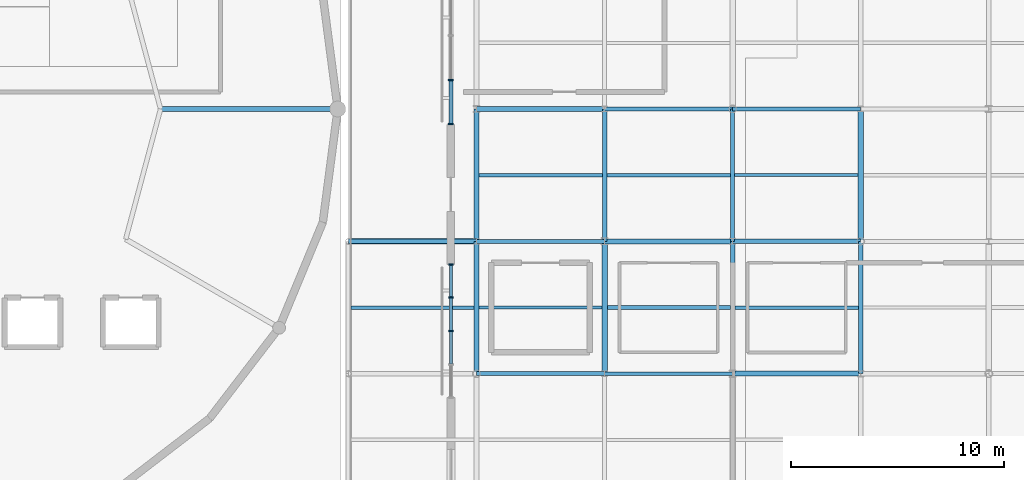
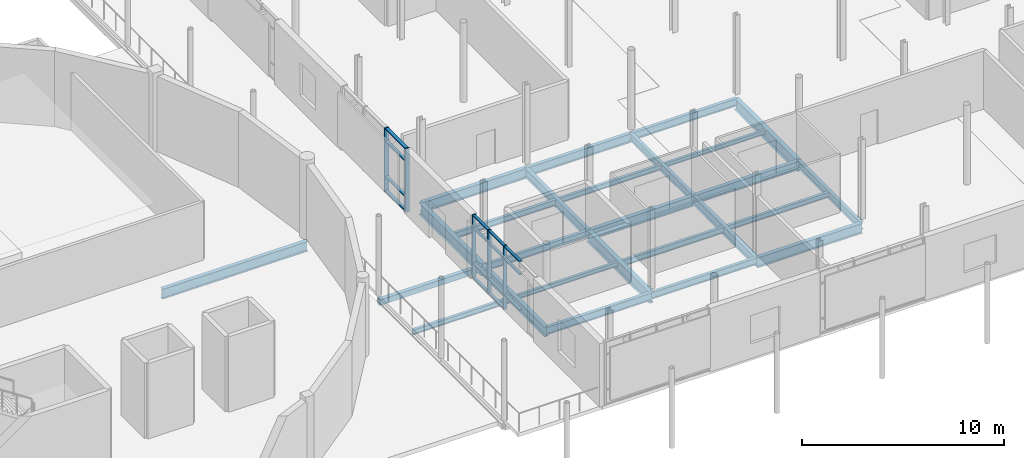
# One storey, part 26 of 84: 26 beams, 20 members, 2 elements without a shape of their own.
"""IFC4 building model written with IfcOpenShell, lengths in metres."""

import ifcopenshell
import ifcopenshell.guid

model = None  # the IFC model being written
_history = None  # IfcOwnerHistory: only IFC2X3 demands one
_inside = {}  # id of a spatial element -> (the spatial element, [elements in it])
_under = {}  # id of a project, library or spatial element -> (it, [spatial elements below it])
_declared = {}  # id of a project -> (the project, [libraries it declares])
_typed = {}  # id of a type object -> (the type object, [elements of that type])
_made_of = {}  # id of a material, layer set ... -> (it, [elements and type objects made of it])


def new_model(schema):
    """Start an empty IFC model of exactly this schema.

    Asked for "IFC4X3", IfcOpenShell would pick the latest addendum, in which some entities
    have other attributes; the version numbers below select the first issue.
    IFC2X3 requires an IfcOwnerHistory on every rooted entity: one is made here for all.
    """
    global model, _history
    if schema == "IFC4X3":
        model = ifcopenshell.file(schema_version=(4, 3, 0, 0))
    else:
        model = ifcopenshell.file(schema=schema)
    _inside.clear()
    _under.clear()
    _declared.clear()
    _typed.clear()
    _made_of.clear()
    _history = None
    if model.schema == "IFC2X3":
        org = make("IfcOrganization", Name="unknown")
        user = make(
            "IfcPersonAndOrganization",
            ThePerson=make("IfcPerson", FamilyName="unknown"),
            TheOrganization=org,
        )
        app = make(
            "IfcApplication",
            ApplicationDeveloper=org,
            Version="unknown",
            ApplicationFullName="unknown",
            ApplicationIdentifier="unknown",
        )
        _history = make(
            "IfcOwnerHistory",
            OwningUser=user,
            OwningApplication=app,
            ChangeAction="ADDED",
            CreationDate=0,
        )
    return model


def make(cls, **values):
    """One entity of the class cls with the attributes given. An attribute that is None is left unset."""
    return model.create_entity(
        cls, **{name: value for name, value in values.items() if value is not None}
    )


def rooted(cls, **values):
    """An entity with a GlobalId (a new one), such as an element, a storey or a relation."""
    return make(cls, GlobalId=ifcopenshell.guid.new(), OwnerHistory=_history, **values)


def si_unit(unit_type, name, prefix=None):
    """IfcSIUnit, for example si_unit("LENGTHUNIT", "METRE", prefix="MILLI")."""
    return make("IfcSIUnit", UnitType=unit_type, Prefix=prefix, Name=name)


def assignment(units):
    """IfcUnitAssignment: the units of a project."""
    return None if units is None else make("IfcUnitAssignment", Units=units)


def point(xyz):
    """IfcCartesianPoint."""
    return None if xyz is None else make("IfcCartesianPoint", Coordinates=xyz)


def direction(xyz):
    """IfcDirection."""
    return None if xyz is None else make("IfcDirection", DirectionRatios=xyz)


def frame(location, z_axis=None, x_axis=None):
    """IfcAxis2Placement3D, a coordinate frame: its origin and axes. An axis left out is left unset."""
    return make(
        "IfcAxis2Placement3D",
        Location=point(location),
        Axis=direction(z_axis),
        RefDirection=direction(x_axis),
    )


def frame_2d(location, x_axis=None):
    """IfcAxis2Placement2D, a coordinate frame in the plane: its origin and x axis."""
    return make(
        "IfcAxis2Placement2D", Location=point(location), RefDirection=direction(x_axis)
    )


def origin():
    """The frame at (0, 0, 0) with its axes left unset."""
    return frame((0.0, 0.0, 0.0))


def origin_2d():
    """The frame at (0, 0) in the plane with its x axis left unset."""
    return frame_2d((0.0, 0.0))


def place(relative_to, where):
    """IfcLocalPlacement: puts the frame where relative to a parent placement (None: the world)."""
    return make(
        "IfcLocalPlacement", PlacementRelTo=relative_to, RelativePlacement=where
    )


def context(
    kind, dimensions, precision=None, world=None, true_north=None, identifier=None
):
    """IfcGeometricRepresentationContext, for example the 3D "Model" context."""
    return make(
        "IfcGeometricRepresentationContext",
        ContextIdentifier=identifier,
        ContextType=kind,
        CoordinateSpaceDimension=dimensions,
        Precision=precision,
        WorldCoordinateSystem=world,
        TrueNorth=true_north,
    )


def subcontext(parent, identifier, kind, view, scale=None):
    """IfcGeometricRepresentationSubContext, for example "Body" below "Model"."""
    return make(
        "IfcGeometricRepresentationSubContext",
        ContextIdentifier=identifier,
        ContextType=kind,
        ParentContext=parent,
        TargetScale=scale,
        TargetView=view,
    )


def project(units=None, contexts=None):
    """IfcProject with its units and contexts."""
    return rooted(
        "IfcProject",
        Name="project",
        RepresentationContexts=contexts,
        UnitsInContext=assignment(units),
    )


def spatial(cls, under=None, at=None, **own):
    """A site, building, storey or space (cls), placed at a placement, below another one or the project."""
    s = rooted(cls, ObjectPlacement=at, **own)
    if under is not None:
        _under.setdefault(under.id(), (under, []))[1].append(s)
    return s


def profile(cls, at=None, kind="AREA", **sizes):
    """A parametric profile (cls). Its sizes go by their IFC names, for example OverallWidth=200.0."""
    return make(cls, ProfileType=kind, Position=at, **sizes)


def rectangle(**sizes):
    """IfcRectangleProfileDef."""
    return profile("IfcRectangleProfileDef", **sizes)


def hollow_rectangle(**sizes):
    """IfcRectangleHollowProfileDef."""
    return profile("IfcRectangleHollowProfileDef", **sizes)


def i_section(**sizes):
    """IfcIShapeProfileDef."""
    return profile("IfcIShapeProfileDef", **sizes)


def extrude(swept, where, along, depth):
    """IfcExtrudedAreaSolid: the profile swept, set in the frame where, extruded along a direction by depth."""
    return make(
        "IfcExtrudedAreaSolid",
        SweptArea=swept,
        Position=where,
        ExtrudedDirection=direction(along),
        Depth=depth,
    )


def shape(context_of_items, identifier, shape_type, items):
    """IfcShapeRepresentation: the items that make up one representation, for example the "Body"."""
    return make(
        "IfcShapeRepresentation",
        ContextOfItems=context_of_items,
        RepresentationIdentifier=identifier,
        RepresentationType=shape_type,
        Items=items,
    )


def material(Name=None, Category=None):
    """IfcMaterial."""
    return make("IfcMaterial", Name=Name, Category=Category)


def layer(
    of_material, thickness, ventilated=None, Name=None, Category=None, Priority=None
):
    """IfcMaterialLayer: one layer of a wall or slab, of a material (None: an air gap)."""
    return make(
        "IfcMaterialLayer",
        Material=of_material,
        LayerThickness=thickness,
        IsVentilated=ventilated,
        Name=Name,
        Category=Category,
        Priority=Priority,
    )


def layer_set(layers, Name=None):
    """IfcMaterialLayerSet."""
    return make("IfcMaterialLayerSet", MaterialLayers=layers, LayerSetName=Name)


def material_profile(
    of_material, cross_section, Name=None, Category=None, Priority=None
):
    """IfcMaterialProfile: a cross section and its material."""
    return make(
        "IfcMaterialProfile",
        Name=Name,
        Material=of_material,
        Profile=cross_section,
        Priority=Priority,
        Category=Category,
    )


def profile_set(profiles, Name=None, composite=None):
    """IfcMaterialProfileSet."""
    return make(
        "IfcMaterialProfileSet",
        Name=Name,
        MaterialProfiles=profiles,
        CompositeProfile=composite,
    )


def made_of(thing, what):
    """Note that an element or type object is made of a material, layer set ...; save() writes the relation."""
    if what is not None:
        _made_of.setdefault(what.id(), (what, []))[1].append(thing)
    return thing


def type_object(cls, material=None, **own):
    """A type object (cls), such as IfcWallType, which elements share."""
    return made_of(rooted(cls, **own), material)


def element(
    cls,
    number,
    at=None,
    inside=None,
    cuts=None,
    type_object=None,
    material=None,
    context=None,
    identifier="Body",
    shape_type=None,
    held_by="IfcProductDefinitionShape",
    body=None,
    shapes=None,
    **own,
):
    """One element of the class cls, such as IfcWall. Its Tag is "e" and its number.

    at: its placement. inside: the storey or other place that contains it. cuts: it is an
    opening in that element (IfcRelVoidsElement). A single representation is given by context,
    identifier, shape_type and body (its items); several are given by shapes. held_by: the class
    of the entity that holds the representations. save() writes the other relations.
    """
    e = rooted(cls, Tag="e%d" % number, ObjectPlacement=at, **own)
    if body is not None:
        shapes = [shape(context, identifier, shape_type, body)]
    if shapes is not None:
        e.Representation = make(held_by, Representations=shapes)
    if inside is not None:
        _inside.setdefault(inside.id(), (inside, []))[1].append(e)
    if cuts is not None:
        rooted(
            "IfcRelVoidsElement", RelatingBuildingElement=cuts, RelatedOpeningElement=e
        )
    if type_object is not None:
        _typed.setdefault(type_object.id(), (type_object, []))[1].append(e)
    return made_of(e, material)


def aggregate(whole, parts):
    """IfcRelAggregates: a whole, such as a stair, and the parts it consists of."""
    return rooted("IfcRelAggregates", RelatingObject=whole, RelatedObjects=parts)


def save(model, path):
    """Write the relations noted so far, then the file.

    IfcRelAggregates (storeys below a building ...), IfcRelContainedInSpatialStructure (elements
    in a storey), IfcRelDefinesByType, IfcRelAssociatesMaterial and IfcRelDeclares: one each for
    every whole, place, type object, material and project.
    """
    for whole, parts in _under.values():
        aggregate(whole, parts)
    for where, things in _inside.values():
        rooted(
            "IfcRelContainedInSpatialStructure",
            RelatedElements=things,
            RelatingStructure=where,
        )
    for kind, things in _typed.values():
        rooted("IfcRelDefinesByType", RelatedObjects=things, RelatingType=kind)
    for what, things in _made_of.values():
        rooted("IfcRelAssociatesMaterial", RelatedObjects=things, RelatingMaterial=what)
    for by, libraries in _declared.values():
        rooted("IfcRelDeclares", RelatingContext=by, RelatedDefinitions=libraries)
    model.write(path)


model = new_model("IFC4")

# Units and contexts
model_context = context("Model", 3, precision=1e-05, world=origin(), true_north=direction((0.0, 1.0)))
body_context = subcontext(model_context, "Body", "Model", "MODEL_VIEW")
ifc_project = project(units=[si_unit("LENGTHUNIT", "METRE"), si_unit("AREAUNIT", "SQUARE_METRE"), si_unit("VOLUMEUNIT", "CUBIC_METRE"), si_unit("PLANEANGLEUNIT", "RADIAN"), si_unit("MASSUNIT", "GRAM", prefix="KILO")], contexts=[model_context])

# Site, building, storey
site_placement = place(None, origin())
site = spatial("IfcSite", under=ifc_project, at=site_placement, CompositionType="ELEMENT")
building_placement = place(site_placement, origin())
building = spatial("IfcBuilding", under=site, at=building_placement, Name="Mirzam Square Science Centre", CompositionType="ELEMENT")
storey_placement = place(building_placement, frame((0.0, 0.0, 10.800048828125)))
storey = spatial("IfcBuildingStorey", under=building, at=storey_placement, Name="L02", CompositionType="ELEMENT", Elevation=10.800048828125)

# Beams
ifc_material_1 = material(Name="Steel S355", Category="steel")
ifc_material_profile_1 = material_profile(ifc_material_1, i_section(OverallWidth=0.1787109375, OverallDepth=0.409423828125, WebThickness=0.0087890625, FlangeThickness=0.014404296875, FilletRadius=0.01025390625, at=origin_2d()), Name="406x178x67UB")
ifc_profile_set_1 = profile_set([ifc_material_profile_1], Name="Steel S355")
beam_type_1 = type_object("IfcBeamType", Name="BM-UB406", PredefinedType="BEAM", material=ifc_profile_set_1)
for number, where, z_axis, x_axis, name in (
    (1, (114.0, 49.60009765625, -0.454833984375), (1.0, 0.0, 0.0), (0.0, 1.0, 0.0), "L02 girder X20-9"),
    (2, (108.0, 55.800048828125, -0.454833984375), (1.0, 0.0, 0.0), (0.0, 1.0, 0.0), "L02 girder X19-10"),
):
    element("IfcBeam", number, at=place(storey_placement, frame(where, z_axis=z_axis, x_axis=x_axis)), inside=storey, type_object=beam_type_1, Name=name, PredefinedType="BEAM", context=body_context, shape_type="SweptSolid", body=[
        extrude(i_section(OverallWidth=0.1787109375, OverallDepth=0.409423828125, WebThickness=0.0087890625, FlangeThickness=0.014404296875, FilletRadius=0.01025390625, at=origin_2d()), origin(), (0.0, 0.0, 1.0), 6.0),
    ])
ifc_material_profile_2 = material_profile(ifc_material_1, i_section(OverallWidth=0.19140625, OverallDepth=0.4599609375, WebThickness=0.010009765625, FlangeThickness=0.01611328125, FilletRadius=0.01025390625, at=origin_2d()), Name="457x191x82UB")
ifc_profile_set_2 = profile_set([ifc_material_profile_2], Name="Steel S355")
beam_type_2 = type_object("IfcBeamType", Name="BM-UB457", PredefinedType="BEAM", material=ifc_profile_set_2)
for number, where, z_axis, x_axis, name in (
    (3, (108.0, 49.60009765625, -0.47998046875), (1.0, 0.0, 0.0), (0.0, 1.0, 0.0), "L02 girder X19-9"),
    (4, (120.0, 62.0, -0.47998046875), (1.0, 0.0, 0.0), (0.0, 1.0, 0.0), "L02 girder X21-11"),
):
    element("IfcBeam", number, at=place(storey_placement, frame(where, z_axis=z_axis, x_axis=x_axis)), inside=storey, type_object=beam_type_2, Name=name, PredefinedType="BEAM", context=body_context, shape_type="SweptSolid", body=[
        extrude(i_section(OverallWidth=0.19140625, OverallDepth=0.4599609375, WebThickness=0.010009765625, FlangeThickness=0.01611328125, FilletRadius=0.01025390625, at=origin_2d()), origin(), (0.0, 0.0, 1.0), 6.0),
    ])
for number, where, z_axis, x_axis, name in (
    (5, (120.0, 55.800048828125, -0.47998046875), (0.0, 1.0, 0.0), (-1.0, 0.0, 0.0), "L02 girder Y21-10"),
    (6, (126.0, 49.60009765625, -0.47998046875), (0.0, 1.0, 0.0), (-1.0, 0.0, 0.0), "L02 girder Y22-9"),
):
    element("IfcBeam", number, at=place(storey_placement, frame(where, z_axis=z_axis, x_axis=x_axis)), inside=storey, type_object=beam_type_2, Name=name, PredefinedType="BEAM", context=body_context, shape_type="SweptSolid", body=[
        extrude(i_section(OverallWidth=0.19140625, OverallDepth=0.4599609375, WebThickness=0.010009765625, FlangeThickness=0.01611328125, FilletRadius=0.01025390625, at=origin_2d()), origin(), (0.0, 0.0, 1.0), 6.199951171875),
    ])
ifc_material_profile_3 = material_profile(ifc_material_1, i_section(OverallWidth=0.2099609375, OverallDepth=0.53662109375, WebThickness=0.0107421875, FlangeThickness=0.017333984375, FilletRadius=0.0126953125, at=origin_2d()), Name="533x210x101UB")
ifc_profile_set_3 = profile_set([ifc_material_profile_3], Name="Steel S355")
beam_type_3 = type_object("IfcBeamType", Name="BM-UB533", PredefinedType="BEAM", material=ifc_profile_set_3)
for number, where, z_axis, x_axis, name in (
    (7, (120.0, 55.800048828125, -0.518310546875), (1.0, 0.0, 0.0), (0.0, 1.0, 0.0), "L02 girder X21-10"),
    (8, (114.0, 62.0, -0.518310546875), (1.0, 0.0, 0.0), (0.0, 1.0, 0.0), "L02 girder X20-11"),
):
    element("IfcBeam", number, at=place(storey_placement, frame(where, z_axis=z_axis, x_axis=x_axis)), inside=storey, type_object=beam_type_3, Name=name, PredefinedType="BEAM", context=body_context, shape_type="SweptSolid", body=[
        extrude(i_section(OverallWidth=0.2099609375, OverallDepth=0.53662109375, WebThickness=0.0107421875, FlangeThickness=0.017333984375, FilletRadius=0.0126953125, at=origin_2d()), origin(), (0.0, 0.0, 1.0), 6.0),
    ])
for number, where, z_axis, x_axis, name in (
    (9, (114.0, 55.800048828125, -0.518310546875), (0.0, 1.0, 0.0), (-1.0, 0.0, 0.0), "L02 girder Y20-10"),
    (10, (120.0, 49.60009765625, -0.518310546875), (0.0, 1.0, 0.0), (-1.0, 0.0, 0.0), "L02 girder Y21-9"),
):
    element("IfcBeam", number, at=place(storey_placement, frame(where, z_axis=z_axis, x_axis=x_axis)), inside=storey, type_object=beam_type_3, Name=name, PredefinedType="BEAM", context=body_context, shape_type="SweptSolid", body=[
        extrude(i_section(OverallWidth=0.2099609375, OverallDepth=0.53662109375, WebThickness=0.0107421875, FlangeThickness=0.017333984375, FilletRadius=0.0126953125, at=origin_2d()), origin(), (0.0, 0.0, 1.0), 6.199951171875),
    ])
ifc_material_profile_4 = material_profile(ifc_material_1, i_section(OverallWidth=0.22900390625, OverallDepth=0.6123046875, WebThickness=0.011962890625, FlangeThickness=0.01953125, FilletRadius=0.0126953125, at=origin_2d()), Name="610x229x125UB")
ifc_profile_set_4 = profile_set([ifc_material_profile_4], Name="Steel S355")
beam_type_4 = type_object("IfcBeamType", Name="BM-UB610", PredefinedType="BEAM", material=ifc_profile_set_4)
beam_1_placement = place(storey_placement, frame((93.199951171875, 62.0, -0.586181640625), z_axis=(1.0, 0.0, 0.0), x_axis=(0.0, 1.0, 0.0)))
element("IfcBeam", 11, at=beam_1_placement, inside=storey, type_object=beam_type_4, Name="L02 drum radial girder 01", PredefinedType="BEAM", context=body_context, shape_type="SweptSolid", body=[
    extrude(i_section(OverallWidth=0.22900390625, OverallDepth=0.6123046875, WebThickness=0.011962890625, FlangeThickness=0.01953125, FilletRadius=0.0126953125, at=origin_2d()), origin(), (0.0, 0.0, 1.0), 8.300048828125),
])
for number, where, z_axis, x_axis, name in (
    (12, (120.0, 49.60009765625, -0.55615234375), (1.0, 0.0, 0.0), (0.0, 1.0, 0.0), "L02 girder X21-9"),
    (13, (114.0, 55.800048828125, -0.55615234375), (1.0, 0.0, 0.0), (0.0, 1.0, 0.0), "L02 girder X20-10"),
    (14, (108.0, 62.0, -0.55615234375), (1.0, 0.0, 0.0), (0.0, 1.0, 0.0), "L02 girder X19-11"),
):
    element("IfcBeam", number, at=place(storey_placement, frame(where, z_axis=z_axis, x_axis=x_axis)), inside=storey, type_object=beam_type_4, Name=name, PredefinedType="BEAM", context=body_context, shape_type="SweptSolid", body=[
        extrude(i_section(OverallWidth=0.22900390625, OverallDepth=0.6123046875, WebThickness=0.011962890625, FlangeThickness=0.01953125, FilletRadius=0.0126953125, at=origin_2d()), origin(), (0.0, 0.0, 1.0), 6.0),
    ])
beam_2_placement = place(storey_placement, frame((108.0, 49.60009765625, -0.55615234375), z_axis=(0.0, 1.0, 0.0), x_axis=(-1.0, 0.0, 0.0)))
element("IfcBeam", 15, at=beam_2_placement, inside=storey, type_object=beam_type_4, Name="L02 girder Y19-9", PredefinedType="BEAM", context=body_context, shape_type="SweptSolid", body=[
    extrude(i_section(OverallWidth=0.22900390625, OverallDepth=0.6123046875, WebThickness=0.011962890625, FlangeThickness=0.01953125, FilletRadius=0.0126953125, at=origin_2d()), origin(), (0.0, 0.0, 1.0), 6.199951171875),
])
ifc_material_profile_5 = material_profile(ifc_material_1, i_section(OverallWidth=0.25439453125, OverallDepth=0.6875, WebThickness=0.01318359375, FlangeThickness=0.02099609375, FilletRadius=0.01513671875, at=origin_2d()), Name="686x254x152UB")
ifc_profile_set_5 = profile_set([ifc_material_profile_5], Name="Steel S355")
beam_type_5 = type_object("IfcBeamType", Name="BM-UB686", PredefinedType="BEAM", material=ifc_profile_set_5)
for number, where, z_axis, x_axis, name in (
    (16, (108.0, 55.800048828125, -0.59375), (0.0, 1.0, 0.0), (-1.0, 0.0, 0.0), "L02 girder Y19-10"),
    (17, (114.0, 49.60009765625, -0.59375), (0.0, 1.0, 0.0), (-1.0, 0.0, 0.0), "L02 girder Y20-9"),
    (18, (126.0, 55.800048828125, -0.59375), (0.0, 1.0, 0.0), (-1.0, 0.0, 0.0), "L02 girder Y22-10"),
):
    element("IfcBeam", number, at=place(storey_placement, frame(where, z_axis=z_axis, x_axis=x_axis)), inside=storey, type_object=beam_type_5, Name=name, PredefinedType="BEAM", context=body_context, shape_type="SweptSolid", body=[
        extrude(i_section(OverallWidth=0.25439453125, OverallDepth=0.6875, WebThickness=0.01318359375, FlangeThickness=0.02099609375, FilletRadius=0.01513671875, at=origin_2d()), origin(), (0.0, 0.0, 1.0), 6.199951171875),
    ])

# Curtain wall, members
ifc_material_2 = material(Name="Anodised Aluminium and Low-E Solar Glass", Category="aluminium")
ifc_layer_1 = layer(ifc_material_2, 0.179931640625)
ifc_layer_set_1 = layer_set([ifc_layer_1], Name="CW-LINK-A")
curtain_wall_type_1 = type_object("IfcCurtainWallType", Name="CW-LINK-A", PredefinedType="USERDEFINED", material=ifc_layer_set_1)
curtain_wall_1_placement = place(storey_placement, origin())
curtain_wall_1 = element("IfcCurtainWall", 19, at=curtain_wall_1_placement, inside=storey, type_object=curtain_wall_type_1, Name="L02 unitised curtain wall 112", ObjectType="UNITISED CURTAIN WALL", PredefinedType="USERDEFINED")
ifc_material_3 = material(Name="Anodised Architectural Aluminium 6063-T6", Category="aluminium")
ifc_material_profile_6 = material_profile(ifc_material_3, rectangle(XDim=0.06494140625, YDim=0.199951171875, at=origin_2d()), Name="ALU-MULL-200x65x5")
ifc_profile_set_6 = profile_set([ifc_material_profile_6], Name="Anodised Architectural Aluminium 6063-T6")
member_type_1 = type_object("IfcMemberType", Name="CWM-200", PredefinedType="MULLION", material=ifc_profile_set_6)
member_1_placement = place(storey_placement, frame((106.800048828125, 54.71240234375, 0.0), z_axis=(0.0, 0.0, 1.0), x_axis=(0.0, -1.0, 0.0)))
member_1 = element("IfcMember", 20, at=member_1_placement, type_object=member_type_1, Name="CW-08 mullion 1", PredefinedType="MULLION", context=body_context, shape_type="SweptSolid", body=[
    extrude(rectangle(XDim=0.06494140625, YDim=0.199951171875, at=origin_2d()), origin(), (0.0, 0.0, 1.0), 3.83984375),
])
member_2_placement = place(storey_placement, frame((106.800048828125, 53.172607421875, 0.0), z_axis=(0.0, 0.0, 1.0), x_axis=(0.0, -1.0, 0.0)))
member_2 = element("IfcMember", 21, at=member_2_placement, type_object=member_type_1, Name="CW-08 mullion 2", PredefinedType="MULLION", context=body_context, shape_type="SweptSolid", body=[
    extrude(rectangle(XDim=0.06494140625, YDim=0.199951171875, at=origin_2d()), origin(), (0.0, 0.0, 1.0), 3.83984375),
])
member_3_placement = place(storey_placement, frame((106.800048828125, 51.60009765625, 0.0), z_axis=(0.0, 0.0, 1.0), x_axis=(0.0, -1.0, 0.0)))
member_3 = element("IfcMember", 22, at=member_3_placement, type_object=member_type_1, Name="CW-08 mullion 3", PredefinedType="MULLION", context=body_context, shape_type="SweptSolid", body=[
    extrude(rectangle(XDim=0.06494140625, YDim=0.199951171875, at=origin_2d()), origin(), (0.0, 0.0, 1.0), 3.83984375),
])

ifc_layer_2 = layer(ifc_material_2, 0.239990234375)
ifc_layer_set_2 = layer_set([ifc_layer_2], Name="CW-EAST-B")
curtain_wall_type_2 = type_object("IfcCurtainWallType", Name="CW-EAST-B", PredefinedType="USERDEFINED", material=ifc_layer_set_2)
curtain_wall_2_placement = place(storey_placement, origin())
curtain_wall_2 = element("IfcCurtainWall", 23, at=curtain_wall_2_placement, inside=storey, type_object=curtain_wall_type_2, Name="L02 unitised curtain wall 111", ObjectType="UNITISED CURTAIN WALL", PredefinedType="USERDEFINED")
ifc_material_profile_7 = material_profile(ifc_material_3, rectangle(XDim=0.074951171875, YDim=0.239990234375, at=origin_2d()), Name="ALU-MULL-240x75x5")
ifc_profile_set_7 = profile_set([ifc_material_profile_7], Name="Anodised Architectural Aluminium 6063-T6")
member_type_2 = type_object("IfcMemberType", Name="CWM-240", PredefinedType="MULLION", material=ifc_profile_set_7)
member_4_placement = place(storey_placement, frame((106.800048828125, 63.3515625, 0.0), z_axis=(0.0, 0.0, 1.0), x_axis=(0.0, -1.0, 0.0)))
member_4 = element("IfcMember", 24, at=member_4_placement, type_object=member_type_2, Name="CW-06 mullion 3", PredefinedType="MULLION", context=body_context, shape_type="SweptSolid", body=[
    extrude(rectangle(XDim=0.074951171875, YDim=0.239990234375, at=origin_2d()), origin(), (0.0, 0.0, 1.0), 3.83984375),
])
member_5_placement = place(storey_placement, frame((106.800048828125, 61.29248046875, 0.0), z_axis=(0.0, 0.0, 1.0), x_axis=(0.0, -1.0, 0.0)))
member_5 = element("IfcMember", 25, at=member_5_placement, type_object=member_type_2, Name="CW-06 mullion 4", PredefinedType="MULLION", context=body_context, shape_type="SweptSolid", body=[
    extrude(rectangle(XDim=0.074951171875, YDim=0.239990234375, at=origin_2d()), origin(), (0.0, 0.0, 1.0), 3.83984375),
])

# Member
ifc_material_profile_8 = material_profile(ifc_material_3, rectangle(XDim=0.14990234375, YDim=0.06494140625, at=origin_2d()), Name="ALU-TRAN-150x65x4")
ifc_profile_set_8 = profile_set([ifc_material_profile_8], Name="Anodised Architectural Aluminium 6063-T6")
member_type_3 = type_object("IfcMemberType", Name="CWT-150", PredefinedType="USERDEFINED", material=ifc_profile_set_8)
member_6_placement = place(storey_placement, frame((106.800048828125, 54.679931640625, 0.032470703125), z_axis=(0.0, -1.0, 0.0), x_axis=(1.0, 0.0, 0.0)))
member_6 = element("IfcMember", 26, at=member_6_placement, type_object=member_type_3, Name="CW-08 transom 1.1", ObjectType="TRANSOM", PredefinedType="USERDEFINED", context=body_context, shape_type="SweptSolid", body=[
    extrude(rectangle(XDim=0.14990234375, YDim=0.06494140625, at=origin_2d()), origin(), (0.0, 0.0, 1.0), 1.474853515625),
])

member_7_placement = place(storey_placement, frame((106.800048828125, 54.679931640625, 0.89990234375), z_axis=(0.0, -1.0, 0.0), x_axis=(1.0, 0.0, 0.0)))
member_7 = element("IfcMember", 27, at=member_7_placement, type_object=member_type_3, Name="CW-08 transom 1.2", ObjectType="TRANSOM", PredefinedType="USERDEFINED", context=body_context, shape_type="SweptSolid", body=[
    extrude(rectangle(XDim=0.14990234375, YDim=0.06494140625, at=origin_2d()), origin(), (0.0, 0.0, 1.0), 1.474853515625),
])

member_8_placement = place(storey_placement, frame((106.800048828125, 54.679931640625, 3.0400390625), z_axis=(0.0, -1.0, 0.0), x_axis=(1.0, 0.0, 0.0)))
member_8 = element("IfcMember", 28, at=member_8_placement, type_object=member_type_3, Name="CW-08 transom 1.3", ObjectType="TRANSOM", PredefinedType="USERDEFINED", context=body_context, shape_type="SweptSolid", body=[
    extrude(rectangle(XDim=0.14990234375, YDim=0.06494140625, at=origin_2d()), origin(), (0.0, 0.0, 1.0), 1.474853515625),
])

member_9_placement = place(storey_placement, frame((106.800048828125, 54.679931640625, 3.807373046875), z_axis=(0.0, -1.0, 0.0), x_axis=(1.0, 0.0, 0.0)))
member_9 = element("IfcMember", 29, at=member_9_placement, type_object=member_type_3, Name="CW-08 transom 1.4", ObjectType="TRANSOM", PredefinedType="USERDEFINED", context=body_context, shape_type="SweptSolid", body=[
    extrude(rectangle(XDim=0.14990234375, YDim=0.06494140625, at=origin_2d()), origin(), (0.0, 0.0, 1.0), 1.474853515625),
])

member_10_placement = place(storey_placement, frame((106.800048828125, 53.139892578125, 0.032470703125), z_axis=(0.0, -1.0, 0.0), x_axis=(1.0, 0.0, 0.0)))
member_10 = element("IfcMember", 30, at=member_10_placement, type_object=member_type_3, Name="CW-08 transom 2.1", ObjectType="TRANSOM", PredefinedType="USERDEFINED", context=body_context, shape_type="SweptSolid", body=[
    extrude(rectangle(XDim=0.14990234375, YDim=0.06494140625, at=origin_2d()), origin(), (0.0, 0.0, 1.0), 1.50732421875),
])

member_11_placement = place(storey_placement, frame((106.800048828125, 53.139892578125, 0.89990234375), z_axis=(0.0, -1.0, 0.0), x_axis=(1.0, 0.0, 0.0)))
member_11 = element("IfcMember", 31, at=member_11_placement, type_object=member_type_3, Name="CW-08 transom 2.2", ObjectType="TRANSOM", PredefinedType="USERDEFINED", context=body_context, shape_type="SweptSolid", body=[
    extrude(rectangle(XDim=0.14990234375, YDim=0.06494140625, at=origin_2d()), origin(), (0.0, 0.0, 1.0), 1.50732421875),
])

member_12_placement = place(storey_placement, frame((106.800048828125, 53.139892578125, 3.0400390625), z_axis=(0.0, -1.0, 0.0), x_axis=(1.0, 0.0, 0.0)))
member_12 = element("IfcMember", 32, at=member_12_placement, type_object=member_type_3, Name="CW-08 transom 2.3", ObjectType="TRANSOM", PredefinedType="USERDEFINED", context=body_context, shape_type="SweptSolid", body=[
    extrude(rectangle(XDim=0.14990234375, YDim=0.06494140625, at=origin_2d()), origin(), (0.0, 0.0, 1.0), 1.50732421875),
])

member_13_placement = place(storey_placement, frame((106.800048828125, 53.139892578125, 3.807373046875), z_axis=(0.0, -1.0, 0.0), x_axis=(1.0, 0.0, 0.0)))
member_13 = element("IfcMember", 33, at=member_13_placement, type_object=member_type_3, Name="CW-08 transom 2.4", ObjectType="TRANSOM", PredefinedType="USERDEFINED", context=body_context, shape_type="SweptSolid", body=[
    extrude(rectangle(XDim=0.14990234375, YDim=0.06494140625, at=origin_2d()), origin(), (0.0, 0.0, 1.0), 1.50732421875),
])

member_14_placement = place(storey_placement, frame((106.800048828125, 51.5673828125, 0.89990234375), z_axis=(0.0, -1.0, 0.0), x_axis=(1.0, 0.0, 0.0)))
member_14 = element("IfcMember", 34, at=member_14_placement, type_object=member_type_3, Name="CW-08 transom 3.2", ObjectType="TRANSOM", PredefinedType="USERDEFINED", context=body_context, shape_type="SweptSolid", body=[
    extrude(rectangle(XDim=0.14990234375, YDim=0.06494140625, at=origin_2d()), origin(), (0.0, 0.0, 1.0), 1.50732421875),
])

member_15_placement = place(storey_placement, frame((106.800048828125, 51.5673828125, 3.0400390625), z_axis=(0.0, -1.0, 0.0), x_axis=(1.0, 0.0, 0.0)))
member_15 = element("IfcMember", 35, at=member_15_placement, type_object=member_type_3, Name="CW-08 transom 3.3", ObjectType="TRANSOM", PredefinedType="USERDEFINED", context=body_context, shape_type="SweptSolid", body=[
    extrude(rectangle(XDim=0.14990234375, YDim=0.06494140625, at=origin_2d()), origin(), (0.0, 0.0, 1.0), 1.50732421875),
])

member_16_placement = place(storey_placement, frame((106.800048828125, 51.5673828125, 3.807373046875), z_axis=(0.0, -1.0, 0.0), x_axis=(1.0, 0.0, 0.0)))
member_16 = element("IfcMember", 36, at=member_16_placement, type_object=member_type_3, Name="CW-08 transom 3.4", ObjectType="TRANSOM", PredefinedType="USERDEFINED", context=body_context, shape_type="SweptSolid", body=[
    extrude(rectangle(XDim=0.14990234375, YDim=0.06494140625, at=origin_2d()), origin(), (0.0, 0.0, 1.0), 1.50732421875),
])

aggregate(curtain_wall_1, [member_1, member_2, member_3, member_6, member_7, member_8, member_9, member_10, member_11, member_12, member_13, member_14, member_15, member_16])

ifc_material_profile_9 = material_profile(ifc_material_3, rectangle(XDim=0.179931640625, YDim=0.074951171875, at=origin_2d()), Name="ALU-TRAN-180x75x5")
ifc_profile_set_9 = profile_set([ifc_material_profile_9], Name="Anodised Architectural Aluminium 6063-T6")
member_type_4 = type_object("IfcMemberType", Name="CWT-180", PredefinedType="USERDEFINED", material=ifc_profile_set_9)
member_17_placement = place(storey_placement, frame((106.800048828125, 63.314208984375, 0.037353515625), z_axis=(0.0, -1.0, 0.0), x_axis=(1.0, 0.0, 0.0)))
member_17 = element("IfcMember", 37, at=member_17_placement, type_object=member_type_4, Name="CW-06 transom 3.1", ObjectType="TRANSOM", PredefinedType="USERDEFINED", context=body_context, shape_type="SweptSolid", body=[
    extrude(rectangle(XDim=0.179931640625, YDim=0.074951171875, at=origin_2d()), origin(), (0.0, 0.0, 1.0), 1.984130859375),
])

member_18_placement = place(storey_placement, frame((106.800048828125, 63.314208984375, 0.89990234375), z_axis=(0.0, -1.0, 0.0), x_axis=(1.0, 0.0, 0.0)))
member_18 = element("IfcMember", 38, at=member_18_placement, type_object=member_type_4, Name="CW-06 transom 3.2", ObjectType="TRANSOM", PredefinedType="USERDEFINED", context=body_context, shape_type="SweptSolid", body=[
    extrude(rectangle(XDim=0.179931640625, YDim=0.074951171875, at=origin_2d()), origin(), (0.0, 0.0, 1.0), 1.984130859375),
])

member_19_placement = place(storey_placement, frame((106.800048828125, 63.314208984375, 3.0400390625), z_axis=(0.0, -1.0, 0.0), x_axis=(1.0, 0.0, 0.0)))
member_19 = element("IfcMember", 39, at=member_19_placement, type_object=member_type_4, Name="CW-06 transom 3.3", ObjectType="TRANSOM", PredefinedType="USERDEFINED", context=body_context, shape_type="SweptSolid", body=[
    extrude(rectangle(XDim=0.179931640625, YDim=0.074951171875, at=origin_2d()), origin(), (0.0, 0.0, 1.0), 1.984130859375),
])

member_20_placement = place(storey_placement, frame((106.800048828125, 63.314208984375, 3.802490234375), z_axis=(0.0, -1.0, 0.0), x_axis=(1.0, 0.0, 0.0)))
member_20 = element("IfcMember", 40, at=member_20_placement, type_object=member_type_4, Name="CW-06 transom 3.4", ObjectType="TRANSOM", PredefinedType="USERDEFINED", context=body_context, shape_type="SweptSolid", body=[
    extrude(rectangle(XDim=0.179931640625, YDim=0.074951171875, at=origin_2d()), origin(), (0.0, 0.0, 1.0), 1.984130859375),
])

aggregate(curtain_wall_2, [member_4, member_5, member_17, member_18, member_19, member_20])

# Beams
ifc_material_profile_10 = material_profile(ifc_material_1, i_section(OverallWidth=0.146484375, OverallDepth=0.256103515625, WebThickness=0.00634765625, FlangeThickness=0.010986328125, FilletRadius=0.007568359375, at=origin_2d()), Name="254x146x37UB")
ifc_profile_set_10 = profile_set([ifc_material_profile_10], Name="Steel S355")
beam_type_6 = type_object("IfcBeamType", Name="JS-UB254", PredefinedType="JOIST", material=ifc_profile_set_10)
beam_3_placement = place(storey_placement, frame((108.114501953125, 52.699951171875, -0.3779296875), z_axis=(1.0, 0.0, 0.0), x_axis=(0.0, 1.0, 0.0)))
element("IfcBeam", 41, at=beam_3_placement, inside=storey, type_object=beam_type_6, Name="L02 composite joist 19-9", PredefinedType="JOIST", context=body_context, shape_type="SweptSolid", body=[
    extrude(i_section(OverallWidth=0.146484375, OverallDepth=0.256103515625, WebThickness=0.00634765625, FlangeThickness=0.010986328125, FilletRadius=0.007568359375, at=origin_2d()), origin(), (0.0, 0.0, 1.0), 5.75830078125),
])
beam_4_placement = place(storey_placement, frame((120.095703125, 58.89990234375, -0.3779296875), z_axis=(1.0, 0.0, 0.0), x_axis=(0.0, 1.0, 0.0)))
element("IfcBeam", 42, at=beam_4_placement, inside=storey, type_object=beam_type_6, Name="L02 composite joist 21-10", PredefinedType="JOIST", context=body_context, shape_type="SweptSolid", body=[
    extrude(i_section(OverallWidth=0.146484375, OverallDepth=0.256103515625, WebThickness=0.00634765625, FlangeThickness=0.010986328125, FilletRadius=0.007568359375, at=origin_2d()), origin(), (0.0, 0.0, 1.0), 5.777099609375),
])
ifc_material_profile_11 = material_profile(ifc_material_1, i_section(OverallWidth=0.165771484375, OverallDepth=0.306640625, WebThickness=0.006591796875, FlangeThickness=0.01171875, FilletRadius=0.0087890625, at=origin_2d()), Name="305x165x46UB")
ifc_profile_set_11 = profile_set([ifc_material_profile_11], Name="Steel S355")
beam_type_7 = type_object("IfcBeamType", Name="JS-UB305", PredefinedType="JOIST", material=ifc_profile_set_11)
beam_5_placement = place(storey_placement, frame((102.125, 52.699951171875, -0.4033203125), z_axis=(1.0, 0.0, 0.0), x_axis=(0.0, 1.0, 0.0)))
element("IfcBeam", 43, at=beam_5_placement, inside=storey, type_object=beam_type_7, Name="L02 composite joist 18-9", PredefinedType="JOIST", context=body_context, shape_type="SweptSolid", body=[
    extrude(i_section(OverallWidth=0.165771484375, OverallDepth=0.306640625, WebThickness=0.006591796875, FlangeThickness=0.01171875, FilletRadius=0.0087890625, at=origin_2d()), origin(), (0.0, 0.0, 1.0), 5.760498046875),
])
for number, where, z_axis, x_axis, name in (
    (44, (114.10498046875, 58.89990234375, -0.4033203125), (1.0, 0.0, 0.0), (0.0, 1.0, 0.0), "L02 composite joist 20-10"),
    (45, (120.10498046875, 52.699951171875, -0.4033203125), (1.0, 0.0, 0.0), (0.0, 1.0, 0.0), "L02 composite joist 21-9"),
):
    element("IfcBeam", number, at=place(storey_placement, frame(where, z_axis=z_axis, x_axis=x_axis)), inside=storey, type_object=beam_type_7, Name=name, PredefinedType="JOIST", context=body_context, shape_type="SweptSolid", body=[
        extrude(i_section(OverallWidth=0.165771484375, OverallDepth=0.306640625, WebThickness=0.006591796875, FlangeThickness=0.01171875, FilletRadius=0.0087890625, at=origin_2d()), origin(), (0.0, 0.0, 1.0), 5.79931640625),
    ])
ifc_material_profile_12 = material_profile(ifc_material_1, i_section(OverallWidth=0.172119140625, OverallDepth=0.35791015625, WebThickness=0.008056640625, FlangeThickness=0.012939453125, FilletRadius=0.01025390625, at=origin_2d()), Name="356x171x57UB")
ifc_profile_set_12 = profile_set([ifc_material_profile_12], Name="Steel S355")
beam_type_8 = type_object("IfcBeamType", Name="JS-UB356", PredefinedType="JOIST", material=ifc_profile_set_12)
for number, where, z_axis, x_axis, name in (
    (46, (108.127197265625, 58.89990234375, -0.428955078125), (1.0, 0.0, 0.0), (0.0, 1.0, 0.0), "L02 composite joist 19-10"),
    (47, (114.127197265625, 52.699951171875, -0.428955078125), (1.0, 0.0, 0.0), (0.0, 1.0, 0.0), "L02 composite joist 20-9"),
):
    element("IfcBeam", number, at=place(storey_placement, frame(where, z_axis=z_axis, x_axis=x_axis)), inside=storey, type_object=beam_type_8, Name=name, PredefinedType="JOIST", context=body_context, shape_type="SweptSolid", body=[
        extrude(i_section(OverallWidth=0.172119140625, OverallDepth=0.35791015625, WebThickness=0.008056640625, FlangeThickness=0.012939453125, FilletRadius=0.01025390625, at=origin_2d()), origin(), (0.0, 0.0, 1.0), 5.767822265625),
    ])
ifc_material_profile_13 = material_profile(ifc_material_1, hollow_rectangle(XDim=0.25, YDim=0.35009765625, WallThickness=0.012451171875, InnerFilletRadius=0.012451171875, OuterFilletRadius=0.02490234375, at=origin_2d()), Name="350x250x12.5RHS")
ifc_profile_set_13 = profile_set([ifc_material_profile_13], Name="Steel S355")
beam_type_9 = type_object("IfcBeamType", Name="SP-RHS350", PredefinedType="SPANDREL", material=ifc_profile_set_13)
beam_6_placement = place(storey_placement, frame((102.0, 55.800048828125, -0.425048828125), z_axis=(1.0, 0.0, 0.0), x_axis=(0.0, 1.0, 0.0)))
element("IfcBeam", 48, at=beam_6_placement, inside=storey, type_object=beam_type_9, Name="L02 girder X18-10", PredefinedType="SPANDREL", context=body_context, shape_type="SweptSolid", body=[
    extrude(hollow_rectangle(XDim=0.25, YDim=0.35009765625, WallThickness=0.012451171875, InnerFilletRadius=0.012451171875, OuterFilletRadius=0.02490234375, at=origin_2d()), origin(), (0.0, 0.0, 1.0), 6.0),
])

save(model, "model.ifc")
